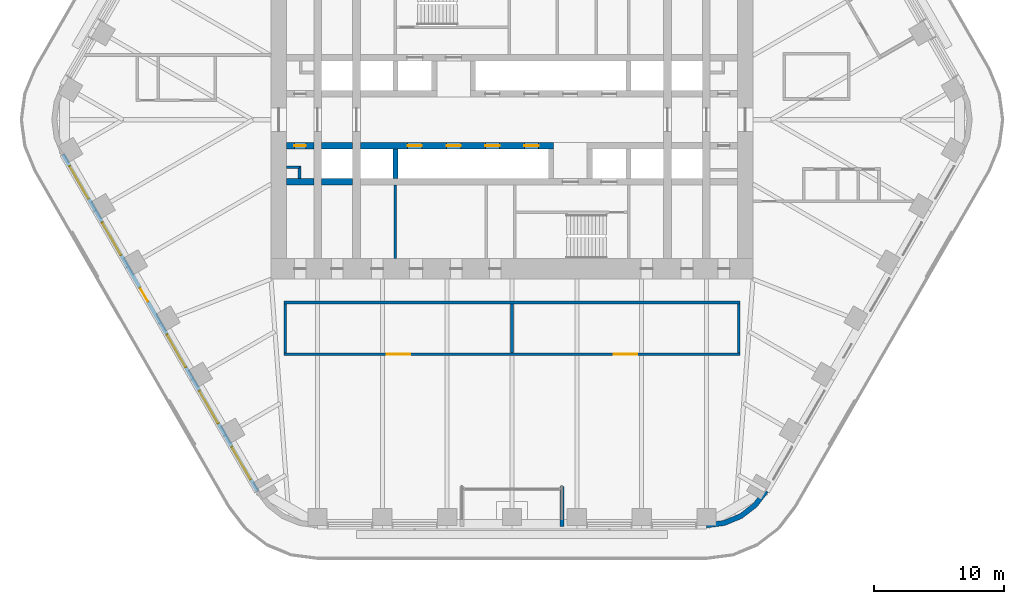
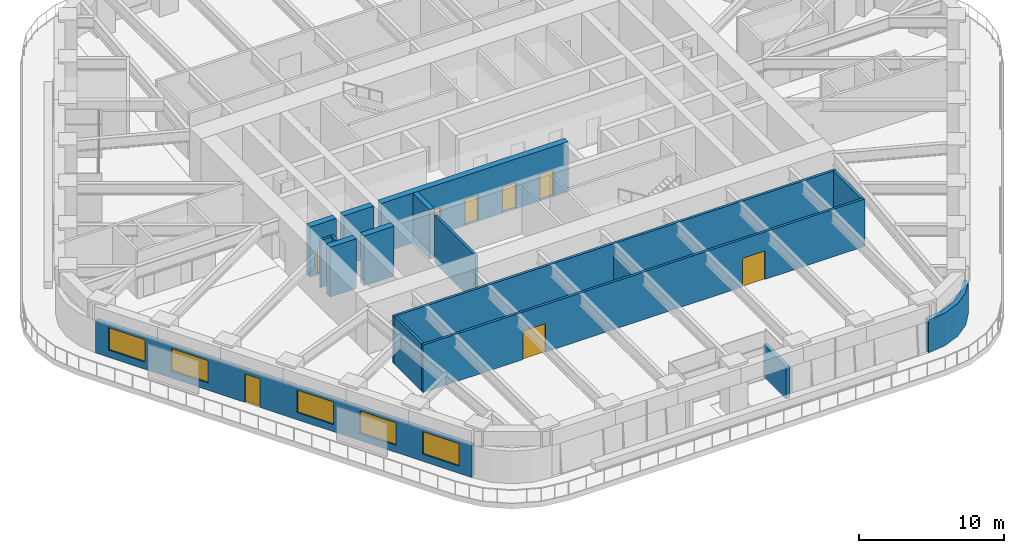
# One storey, part 17 of 24: 17 walls, 8 doors, 5 windows, 13 openings.
"""IFC4 building model written with IfcOpenShell, lengths in metres."""

from ifc_helpers import new_model, si_unit, direction, frame, frame_2d, origin, place, context, subcontext, project, spatial, polyline, rectangle, outline, extrude, material, layer, layer_set, type_object, element, fill, save


model = new_model("IFC4")

# Units and contexts
model_context = context("Model", 3, precision=1e-05, world=origin(), true_north=direction((0.0, 1.0)))
body_context = subcontext(model_context, "Body", "Model", "MODEL_VIEW")
ifc_project = project(units=[si_unit("LENGTHUNIT", "METRE"), si_unit("AREAUNIT", "SQUARE_METRE"), si_unit("VOLUMEUNIT", "CUBIC_METRE"), si_unit("PLANEANGLEUNIT", "RADIAN"), si_unit("MASSUNIT", "GRAM", prefix="KILO")], contexts=[model_context])

# Site, building, storey
site_placement = place(None, origin())
site = spatial("IfcSite", under=ifc_project, at=site_placement, CompositionType="ELEMENT")
building_placement = place(site_placement, origin())
building = spatial("IfcBuilding", under=site, at=building_placement, Name="Tarfa Lantern Tower", CompositionType="ELEMENT")
storey_placement = place(building_placement, frame((0.0, 0.0, 195.10009765625)))
storey = spatial("IfcBuildingStorey", under=building, at=storey_placement, Name="L44", CompositionType="ELEMENT", Elevation=195.10009765625)

# Wall, openings, door, windows
ifc_material_1 = material(Name="Limestone cladding on blockwork", Category="masonry")
ifc_layer_1 = layer(ifc_material_1, 0.300048828125)
ifc_layer_set_1 = layer_set([ifc_layer_1], Name="EW1 STONE-CLAD WALL 300")
wall_type_1 = type_object("IfcWallType", Name="EW1 STONE-CLAD WALL 300", PredefinedType="SOLIDWALL", material=ifc_layer_set_1)
wall_1_placement = place(storey_placement, frame((-34.655517578125, -2.675048828125, 0.0), z_axis=(0.0, 0.0, 1.0), x_axis=(0.500003084452, -0.866023622968, 0.0)))
wall_1 = element("IfcWall", 1, at=wall_1_placement, inside=storey, type_object=wall_type_1, Name="Stone wall SW", PredefinedType="SOLIDWALL", context=body_context, shape_type="SweptSolid", body=[
    extrude(rectangle(XDim=30.022216796875, YDim=0.300048828125, at=frame_2d((15.01123046875, 0.0))), origin(), (0.0, 0.0, 1.0), 2.75),
])
opening_1_placement = place(wall_1_placement, frame((1.0517578125, 0.0, 0.60009765625)))
opening_1 = element("IfcOpeningElement", 2, at=opening_1_placement, cuts=wall_1, Name="Opening W9", PredefinedType="OPENING", context=body_context, shape_type="SweptSolid", body=[
    extrude(rectangle(XDim=2.89990234375, YDim=1.89990234375, at=frame_2d((1.449951171875, 0.949951171875))), frame((0.0, 0.159912109375, 0.0), z_axis=(0.0, -1.0, 0.0), x_axis=(1.0, 0.0, 0.0)), (0.0, 0.0, 1.0), 0.320068359375),
])
opening_2_placement = place(wall_1_placement, frame((6.0556640625, 0.0, 0.60009765625)))
opening_2 = element("IfcOpeningElement", 3, at=opening_2_placement, cuts=wall_1, Name="Opening W9", PredefinedType="OPENING", context=body_context, shape_type="SweptSolid", body=[
    extrude(rectangle(XDim=2.89990234375, YDim=1.89990234375, at=frame_2d((1.449951171875, 0.949951171875))), frame((0.0, 0.159912109375, 0.0), z_axis=(0.0, -1.0, 0.0), x_axis=(1.0, 0.0, 0.0)), (0.0, 0.0, 1.0), 0.320068359375),
])
opening_3_placement = place(wall_1_placement, frame((11.9091796875, 0.0, 0.0)))
opening_3 = element("IfcOpeningElement", 4, at=opening_3_placement, cuts=wall_1, Name="Opening D51", PredefinedType="OPENING", context=body_context, shape_type="SweptSolid", body=[
    extrude(rectangle(XDim=1.199951171875, YDim=2.39990234375, at=frame_2d((0.60009765625, 1.199951171875))), frame((0.0, 0.159912109375, 0.0), z_axis=(0.0, -1.0, 0.0), x_axis=(1.0, 0.0, 0.0)), (0.0, 0.0, 1.0), 0.320068359375),
])
opening_4_placement = place(wall_1_placement, frame((16.06298828125, 0.0, 0.60009765625)))
opening_4 = element("IfcOpeningElement", 5, at=opening_4_placement, cuts=wall_1, Name="Opening W9", PredefinedType="OPENING", context=body_context, shape_type="SweptSolid", body=[
    extrude(rectangle(XDim=2.89990234375, YDim=1.89990234375, at=frame_2d((1.449951171875, 0.949951171875))), frame((0.0, 0.159912109375, 0.0), z_axis=(0.0, -1.0, 0.0), x_axis=(1.0, 0.0, 0.0)), (0.0, 0.0, 1.0), 0.320068359375),
])
opening_5_placement = place(wall_1_placement, frame((21.066650390625, 0.0, 0.60009765625)))
opening_5 = element("IfcOpeningElement", 6, at=opening_5_placement, cuts=wall_1, Name="Opening W9", PredefinedType="OPENING", context=body_context, shape_type="SweptSolid", body=[
    extrude(rectangle(XDim=2.89990234375, YDim=1.89990234375, at=frame_2d((1.449951171875, 0.949951171875))), frame((0.0, 0.159912109375, 0.0), z_axis=(0.0, -1.0, 0.0), x_axis=(1.0, 0.0, 0.0)), (0.0, 0.0, 1.0), 0.320068359375),
])
opening_6_placement = place(wall_1_placement, frame((26.0703125, 0.0, 0.60009765625)))
opening_6 = element("IfcOpeningElement", 7, at=opening_6_placement, cuts=wall_1, Name="Opening W9", PredefinedType="OPENING", context=body_context, shape_type="SweptSolid", body=[
    extrude(rectangle(XDim=2.89990234375, YDim=1.89990234375, at=frame_2d((1.449951171875, 0.949951171875))), frame((0.0, 0.159912109375, 0.0), z_axis=(0.0, -1.0, 0.0), x_axis=(1.0, 0.0, 0.0)), (0.0, 0.0, 1.0), 0.320068359375),
])
ifc_material_2 = material(Name="Aluminium framed glazed door", Category="aluminium")
door_type_1 = type_object("IfcDoorType", Name="BE3 BALCONY DOOR 1200x2400", OperationType="SINGLE_SWING_RIGHT", PredefinedType="DOOR", material=ifc_material_2)
door_1_placement = place(opening_3_placement, origin())
door_1 = element("IfcDoor", 8, at=door_1_placement, inside=storey, type_object=door_type_1, Name="Balcony door SW", OperationType="SINGLE_SWING_RIGHT", OverallHeight=2.39990234375, OverallWidth=1.199951171875, PredefinedType="DOOR", context=body_context, shape_type="SweptSolid", body=[
    extrude(rectangle(XDim=1.199951171875, YDim=2.39990234375, at=frame_2d((0.60009765625, 1.199951171875))), frame((0.0, 0.02490234375, 0.0), z_axis=(0.0, -1.0, 0.0), x_axis=(1.0, 0.0, 0.0)), (0.0, 0.0, 1.0), 0.050048828125),
])
fill(opening_3, door_1)
ifc_material_3 = material(Name="Aluminium frame, double glazed", Category="aluminium")
window_type = type_object("IfcWindowType", Name="W9 FULL-HEIGHT GLAZING 2900x1900", PartitioningType="SINGLE_PANEL", PredefinedType="WINDOW", material=ifc_material_3)
window_1_placement = place(opening_1_placement, origin())
window_1 = element("IfcWindow", 9, at=window_1_placement, inside=storey, type_object=window_type, Name="Window SW 1", OverallHeight=1.89990234375, OverallWidth=2.89990234375, PartitioningType="SINGLE_PANEL", PredefinedType="WINDOW", context=body_context, shape_type="SweptSolid", body=[
    extrude(rectangle(XDim=2.89990234375, YDim=1.89990234375, at=frame_2d((1.449951171875, 0.949951171875))), frame((0.0, 0.030029296875, 0.0), z_axis=(0.0, -1.0, 0.0), x_axis=(1.0, 0.0, 0.0)), (0.0, 0.0, 1.0), 0.06005859375),
])
fill(opening_1, window_1)
window_2_placement = place(opening_2_placement, origin())
window_2 = element("IfcWindow", 10, at=window_2_placement, inside=storey, type_object=window_type, Name="Window SW 2", OverallHeight=1.89990234375, OverallWidth=2.89990234375, PartitioningType="SINGLE_PANEL", PredefinedType="WINDOW", context=body_context, shape_type="SweptSolid", body=[
    extrude(rectangle(XDim=2.89990234375, YDim=1.89990234375, at=frame_2d((1.449951171875, 0.949951171875))), frame((0.0, 0.030029296875, 0.0), z_axis=(0.0, -1.0, 0.0), x_axis=(1.0, 0.0, 0.0)), (0.0, 0.0, 1.0), 0.06005859375),
])
fill(opening_2, window_2)
window_3_placement = place(opening_4_placement, origin())
window_3 = element("IfcWindow", 11, at=window_3_placement, inside=storey, type_object=window_type, Name="Window SW 4", OverallHeight=1.89990234375, OverallWidth=2.89990234375, PartitioningType="SINGLE_PANEL", PredefinedType="WINDOW", context=body_context, shape_type="SweptSolid", body=[
    extrude(rectangle(XDim=2.89990234375, YDim=1.89990234375, at=frame_2d((1.449951171875, 0.949951171875))), frame((0.0, 0.030029296875, 0.0), z_axis=(0.0, -1.0, 0.0), x_axis=(1.0, 0.0, 0.0)), (0.0, 0.0, 1.0), 0.06005859375),
])
fill(opening_4, window_3)
window_4_placement = place(opening_5_placement, origin())
window_4 = element("IfcWindow", 12, at=window_4_placement, inside=storey, type_object=window_type, Name="Window SW 5", OverallHeight=1.89990234375, OverallWidth=2.89990234375, PartitioningType="SINGLE_PANEL", PredefinedType="WINDOW", context=body_context, shape_type="SweptSolid", body=[
    extrude(rectangle(XDim=2.89990234375, YDim=1.89990234375, at=frame_2d((1.449951171875, 0.949951171875))), frame((0.0, 0.030029296875, 0.0), z_axis=(0.0, -1.0, 0.0), x_axis=(1.0, 0.0, 0.0)), (0.0, 0.0, 1.0), 0.06005859375),
])
fill(opening_5, window_4)
window_5_placement = place(opening_6_placement, origin())
window_5 = element("IfcWindow", 13, at=window_5_placement, inside=storey, type_object=window_type, Name="Window SW 6", OverallHeight=1.89990234375, OverallWidth=2.89990234375, PartitioningType="SINGLE_PANEL", PredefinedType="WINDOW", context=body_context, shape_type="SweptSolid", body=[
    extrude(rectangle(XDim=2.89990234375, YDim=1.89990234375, at=frame_2d((1.449951171875, 0.949951171875))), frame((0.0, 0.030029296875, 0.0), z_axis=(0.0, -1.0, 0.0), x_axis=(1.0, 0.0, 0.0)), (0.0, 0.0, 1.0), 0.06005859375),
])
fill(opening_6, window_5)

# Walls
wall_2_placement = place(storey_placement, frame((3.853759765625, -31.39990234375, 0.0), z_axis=(0.0, 0.0, 1.0), x_axis=(0.0, 1.0, 0.0)))
element("IfcWall", 14, at=wall_2_placement, inside=storey, type_object=wall_type_1, Name="Loggia return S 2", PredefinedType="SOLIDWALL", context=body_context, shape_type="SweptSolid", body=[
    extrude(rectangle(XDim=3.099853515625, YDim=0.300048828125, at=frame_2d((1.5498046875, 0.0))), origin(), (0.0, 0.0, 1.0), 2.75),
])
ifc_layer_2 = layer(ifc_material_1, 0.39990234375)
ifc_layer_set_2 = layer_set([ifc_layer_2], Name="EW2 CURVED STONE CORNER 400")
wall_type_2 = type_object("IfcWallType", Name="EW2 CURVED STONE CORNER 400", PredefinedType="SOLIDWALL", material=ifc_layer_set_2)
wall_3_placement = place(storey_placement, origin())
element("IfcWall", 15, at=wall_3_placement, inside=storey, type_object=wall_type_2, Name="Stone corner S-SE", PredefinedType="SOLIDWALL", context=body_context, shape_type="SweptSolid", body=[
    extrude(outline(polyline([(15.010986328125, -31.5), (16.4345703125, -31.3125), (17.760986328125, -30.76318359375), (18.900146484375, -29.88916015625), (19.774169921875, -28.75), (19.427734375, -28.550048828125), (18.617431640625, -29.606201171875), (17.56103515625, -30.416748046875), (16.3310546875, -30.92626953125), (15.010986328125, -31.10009765625), (15.010986328125, -31.5)])), origin(), (0.0, 0.0, 1.0), 2.75),
])
ifc_material_4 = material(Name="Concrete blockwork", Category="masonry")
ifc_layer_3 = layer(ifc_material_4, 0.199951171875)
ifc_layer_set_3 = layer_set([ifc_layer_3], Name="IW1 BLOCKWORK PARTITION 200 EI 120")
wall_type_3 = type_object("IfcWallType", Name="IW1 BLOCKWORK PARTITION 200 EI 120", PredefinedType="PARTITIONING", material=ifc_layer_set_3)
wall_4_placement = place(storey_placement, frame((-9.0, -5.050048828125, 0.0), z_axis=(0.0, 0.0, 1.0), x_axis=(0.0, -1.0, 0.0)))
element("IfcWall", 16, at=wall_4_placement, inside=storey, type_object=wall_type_3, Name="Core partition", PredefinedType="PARTITIONING", context=body_context, shape_type="SweptSolid", body=[
    extrude(rectangle(XDim=5.64990234375, YDim=0.199951171875, at=frame_2d((2.824951171875, 0.0))), origin(), (0.0, 0.0, 1.0), 4.0),
])
for number, where, z_axis, x_axis, name in (
    (17, (-16.39990234375, -3.64990234375, 0.0), (0.0, 0.0, 1.0), (-1.0, 0.0, 0.0), "Core partition"),
    (18, (-16.39990234375, -3.550048828125, 0.0), (0.0, 0.0, 1.0), (0.0, -1.0, 0.0), "Core partition"),
):
    element("IfcWall", number, at=place(storey_placement, frame(where, z_axis=z_axis, x_axis=x_axis)), inside=storey, type_object=wall_type_3, Name=name, PredefinedType="PARTITIONING", context=body_context, shape_type="SweptSolid", body=[
        extrude(rectangle(XDim=1.0, YDim=0.199951171875, at=frame_2d((0.5, 0.0))), origin(), (0.0, 0.0, 1.0), 4.0),
    ])
ifc_material_5 = material(Name="Gypsum board on steel studs", Category="steel")
ifc_layer_4 = layer(ifc_material_5, 0.2099609375)
ifc_layer_set_4 = layer_set([ifc_layer_4], Name="IW2 ACOUSTIC PARTITION 200")
wall_type_4 = type_object("IfcWallType", Name="IW2 ACOUSTIC PARTITION 200", PredefinedType="PARTITIONING", material=ifc_layer_set_4)
wall_5_placement = place(storey_placement, frame((17.60009765625, -14.10009765625, 0.0), z_axis=(0.0, 0.0, 1.0), x_axis=(-1.0, 0.0, 0.0)))
element("IfcWall", 19, at=wall_5_placement, inside=storey, type_object=wall_type_4, Name="Partition", PredefinedType="PARTITIONING", context=body_context, shape_type="SweptSolid", body=[
    extrude(rectangle(XDim=35.2001953125, YDim=0.199951171875, at=frame_2d((17.60009765625, 0.0))), origin(), (0.0, 0.0, 1.0), 4.0),
])

# Wall, openings, doors
wall_6_placement = place(storey_placement, frame((17.60009765625, -18.10009765625, 0.0), z_axis=(0.0, 0.0, 1.0), x_axis=(-1.0, 0.0, 0.0)))
wall_6 = element("IfcWall", 20, at=wall_6_placement, inside=storey, type_object=wall_type_4, Name="Partition", PredefinedType="PARTITIONING", context=body_context, shape_type="SweptSolid", body=[
    extrude(rectangle(XDim=35.2001953125, YDim=0.199951171875, at=frame_2d((17.60009765625, 0.0))), origin(), (0.0, 0.0, 1.0), 4.0),
])
opening_7_placement = place(wall_6_placement, frame((7.949951171875, 0.0, 0.0)))
opening_7 = element("IfcOpeningElement", 21, at=opening_7_placement, cuts=wall_6, Name="Opening D41", PredefinedType="OPENING", context=body_context, shape_type="SweptSolid", body=[
    extrude(rectangle(XDim=1.800048828125, YDim=2.39990234375, at=frame_2d((0.89990234375, 1.199951171875))), frame((0.0, 0.10986328125, 0.0), z_axis=(0.0, -1.0, 0.0), x_axis=(1.0, 0.0, 0.0)), (0.0, 0.0, 1.0), 0.219970703125),
])
opening_8_placement = place(wall_6_placement, frame((25.449951171875, 0.0, 0.0)))
opening_8 = element("IfcOpeningElement", 22, at=opening_8_placement, cuts=wall_6, Name="Opening D42", PredefinedType="OPENING", context=body_context, shape_type="SweptSolid", body=[
    extrude(rectangle(XDim=1.800048828125, YDim=2.39990234375, at=frame_2d((0.89990234375, 1.199951171875))), frame((0.0, 0.10986328125, 0.0), z_axis=(0.0, -1.0, 0.0), x_axis=(1.0, 0.0, 0.0)), (0.0, 0.0, 1.0), 0.219970703125),
])
ifc_material_6 = material(Name="Timber door", Category="wood")
door_type_2 = type_object("IfcDoorType", Name="DR2 ROOM DOOR 1800x2400", OperationType="DOUBLE_DOOR_SINGLE_SWING", PredefinedType="DOOR", material=ifc_material_6)
door_2_placement = place(opening_7_placement, frame((1.800048828125, 0.0, 0.0), z_axis=(0.0, 0.0, 1.0), x_axis=(-1.0, 0.0, 0.0)))
door_2 = element("IfcDoor", 23, at=door_2_placement, inside=storey, type_object=door_type_2, Name="Pantry door", OperationType="DOUBLE_DOOR_SINGLE_SWING", OverallHeight=2.39990234375, OverallWidth=1.800048828125, PredefinedType="DOOR", context=body_context, shape_type="SweptSolid", body=[
    extrude(rectangle(XDim=1.800048828125, YDim=2.39990234375, at=frame_2d((0.89990234375, 1.199951171875))), frame((0.0, 0.02490234375, 0.0), z_axis=(0.0, -1.0, 0.0), x_axis=(1.0, 0.0, 0.0)), (0.0, 0.0, 1.0), 0.050048828125),
])
fill(opening_7, door_2)
door_3_placement = place(opening_8_placement, frame((1.800048828125, 0.0, 0.0), z_axis=(0.0, 0.0, 1.0), x_axis=(-1.0, 0.0, 0.0)))
door_3 = element("IfcDoor", 24, at=door_3_placement, inside=storey, type_object=door_type_2, Name="Print room door", OperationType="DOUBLE_DOOR_SINGLE_SWING", OverallHeight=2.39990234375, OverallWidth=1.800048828125, PredefinedType="DOOR", context=body_context, shape_type="SweptSolid", body=[
    extrude(rectangle(XDim=1.800048828125, YDim=2.39990234375, at=frame_2d((0.89990234375, 1.199951171875))), frame((0.0, 0.02490234375, 0.0), z_axis=(0.0, -1.0, 0.0), x_axis=(1.0, 0.0, 0.0)), (0.0, 0.0, 1.0), 0.050048828125),
])
fill(opening_8, door_3)

# Walls
wall_7_placement = place(storey_placement, frame((17.5, -14.199951171875, 0.0), z_axis=(0.0, 0.0, 1.0), x_axis=(0.0, -1.0, 0.0)))
element("IfcWall", 25, at=wall_7_placement, inside=storey, type_object=wall_type_4, Name="Partition", PredefinedType="PARTITIONING", context=body_context, shape_type="SweptSolid", body=[
    extrude(rectangle(XDim=3.800048828125, YDim=0.199951171875, at=frame_2d((1.89990234375, 0.0))), origin(), (0.0, 0.0, 1.0), 4.0),
])
wall_8_placement = place(storey_placement, frame((0.0, -14.199951171875, 0.0), z_axis=(0.0, 0.0, 1.0), x_axis=(0.0, -1.0, 0.0)))
element("IfcWall", 26, at=wall_8_placement, inside=storey, type_object=wall_type_4, Name="Partition", PredefinedType="PARTITIONING", context=body_context, shape_type="SweptSolid", body=[
    extrude(rectangle(XDim=3.800048828125, YDim=0.199951171875, at=frame_2d((1.89990234375, 0.0))), origin(), (0.0, 0.0, 1.0), 2.99169921875),
])
wall_9_placement = place(storey_placement, frame((-17.5, -14.199951171875, 0.0), z_axis=(0.0, 0.0, 1.0), x_axis=(0.0, -1.0, 0.0)))
element("IfcWall", 27, at=wall_9_placement, inside=storey, type_object=wall_type_4, Name="Partition", PredefinedType="PARTITIONING", context=body_context, shape_type="SweptSolid", body=[
    extrude(rectangle(XDim=3.800048828125, YDim=0.199951171875, at=frame_2d((1.89990234375, 0.0))), origin(), (0.0, 0.0, 1.0), 4.0),
])

# Wall, openings, doors
ifc_material_7 = material(Name="Concrete C80/95", Category="concrete")
ifc_layer_5 = layer(ifc_material_7, 0.5)
ifc_layer_set_5 = layer_set([ifc_layer_5], Name="SW5 CORE WALL 500")
wall_type_5 = type_object("IfcWallType", Name="SW5 CORE WALL 500", PredefinedType="SHEAR", material=ifc_layer_set_5)
wall_10_placement = place(storey_placement, frame((3.199951171875, -2.0, 0.0), z_axis=(0.0, 0.0, 1.0), x_axis=(-1.0, 0.0, 0.0)))
wall_10 = element("IfcWall", 28, at=wall_10_placement, inside=storey, type_object=wall_type_5, Name="Core wall lobby east S", PredefinedType="SHEAR", context=body_context, shape_type="SweptSolid", body=[
    extrude(rectangle(XDim=14.89990234375, YDim=0.5, at=frame_2d((7.449951171875, 0.0))), origin(), (0.0, 0.0, 1.0), 4.199951171875),
])
opening_9_placement = place(wall_10_placement, frame((1.14990234375, 0.0, 0.0)))
opening_9 = element("IfcOpeningElement", 29, at=opening_9_placement, cuts=wall_10, Name="Opening LD07", PredefinedType="OPENING", context=body_context, shape_type="SweptSolid", body=[
    extrude(rectangle(XDim=1.10009765625, YDim=2.199951171875, at=frame_2d((0.550048828125, 1.10009765625))), frame((0.0, 0.260009765625, 0.0), z_axis=(0.0, -1.0, 0.0), x_axis=(1.0, 0.0, 0.0)), (0.0, 0.0, 1.0), 0.52001953125),
])
opening_10_placement = place(wall_10_placement, frame((4.14990234375, 0.0, 0.0)))
opening_10 = element("IfcOpeningElement", 30, at=opening_10_placement, cuts=wall_10, Name="Opening LD08", PredefinedType="OPENING", context=body_context, shape_type="SweptSolid", body=[
    extrude(rectangle(XDim=1.10009765625, YDim=2.199951171875, at=frame_2d((0.550048828125, 1.10009765625))), frame((0.0, 0.260009765625, 0.0), z_axis=(0.0, -1.0, 0.0), x_axis=(1.0, 0.0, 0.0)), (0.0, 0.0, 1.0), 0.52001953125),
])
opening_11_placement = place(wall_10_placement, frame((7.14990234375, 0.0, 0.0)))
opening_11 = element("IfcOpeningElement", 31, at=opening_11_placement, cuts=wall_10, Name="Opening LD09", PredefinedType="OPENING", context=body_context, shape_type="SweptSolid", body=[
    extrude(rectangle(XDim=1.10009765625, YDim=2.199951171875, at=frame_2d((0.550048828125, 1.10009765625))), frame((0.0, 0.260009765625, 0.0), z_axis=(0.0, -1.0, 0.0), x_axis=(1.0, 0.0, 0.0)), (0.0, 0.0, 1.0), 0.52001953125),
])
opening_12_placement = place(wall_10_placement, frame((10.14990234375, 0.0, 0.0)))
opening_12 = element("IfcOpeningElement", 32, at=opening_12_placement, cuts=wall_10, Name="Opening LD10", PredefinedType="OPENING", context=body_context, shape_type="SweptSolid", body=[
    extrude(rectangle(XDim=1.10009765625, YDim=2.199951171875, at=frame_2d((0.550048828125, 1.10009765625))), frame((0.0, 0.260009765625, 0.0), z_axis=(0.0, -1.0, 0.0), x_axis=(1.0, 0.0, 0.0)), (0.0, 0.0, 1.0), 0.52001953125),
])
ifc_material_8 = material(Name="Stainless steel lift door", Category="steel")
door_type_3 = type_object("IfcDoorType", Name="LD2 LIFT LANDING DOOR 1100x2200", OperationType="SLIDING_TO_LEFT", PredefinedType="DOOR", material=ifc_material_8)
door_4_placement = place(opening_9_placement, frame((1.10009765625, 0.0, 0.0), z_axis=(0.0, 0.0, 1.0), x_axis=(-1.0, 0.0, 0.0)))
door_4 = element("IfcDoor", 33, at=door_4_placement, inside=storey, type_object=door_type_3, Name="Landing door PB5", OperationType="SLIDING_TO_LEFT", OverallHeight=2.199951171875, OverallWidth=1.10009765625, PredefinedType="DOOR", context=body_context, shape_type="SweptSolid", body=[
    extrude(rectangle(XDim=1.10009765625, YDim=2.199951171875, at=frame_2d((0.550048828125, 1.10009765625))), frame((0.0, 0.02490234375, 0.0), z_axis=(0.0, -1.0, 0.0), x_axis=(1.0, 0.0, 0.0)), (0.0, 0.0, 1.0), 0.050048828125),
])
fill(opening_9, door_4)
door_5_placement = place(opening_10_placement, frame((1.10009765625, 0.0, 0.0), z_axis=(0.0, 0.0, 1.0), x_axis=(-1.0, 0.0, 0.0)))
door_5 = element("IfcDoor", 34, at=door_5_placement, inside=storey, type_object=door_type_3, Name="Landing door PB6", OperationType="SLIDING_TO_LEFT", OverallHeight=2.199951171875, OverallWidth=1.10009765625, PredefinedType="DOOR", context=body_context, shape_type="SweptSolid", body=[
    extrude(rectangle(XDim=1.10009765625, YDim=2.199951171875, at=frame_2d((0.550048828125, 1.10009765625))), frame((0.0, 0.02490234375, 0.0), z_axis=(0.0, -1.0, 0.0), x_axis=(1.0, 0.0, 0.0)), (0.0, 0.0, 1.0), 0.050048828125),
])
fill(opening_10, door_5)
door_6_placement = place(opening_11_placement, frame((1.10009765625, 0.0, 0.0), z_axis=(0.0, 0.0, 1.0), x_axis=(-1.0, 0.0, 0.0)))
door_6 = element("IfcDoor", 35, at=door_6_placement, inside=storey, type_object=door_type_3, Name="Landing door PB7", OperationType="SLIDING_TO_LEFT", OverallHeight=2.199951171875, OverallWidth=1.10009765625, PredefinedType="DOOR", context=body_context, shape_type="SweptSolid", body=[
    extrude(rectangle(XDim=1.10009765625, YDim=2.199951171875, at=frame_2d((0.550048828125, 1.10009765625))), frame((0.0, 0.02490234375, 0.0), z_axis=(0.0, -1.0, 0.0), x_axis=(1.0, 0.0, 0.0)), (0.0, 0.0, 1.0), 0.050048828125),
])
fill(opening_11, door_6)
door_7_placement = place(opening_12_placement, frame((1.10009765625, 0.0, 0.0), z_axis=(0.0, 0.0, 1.0), x_axis=(-1.0, 0.0, 0.0)))
door_7 = element("IfcDoor", 36, at=door_7_placement, inside=storey, type_object=door_type_3, Name="Landing door PB8", OperationType="SLIDING_TO_LEFT", OverallHeight=2.199951171875, OverallWidth=1.10009765625, PredefinedType="DOOR", context=body_context, shape_type="SweptSolid", body=[
    extrude(rectangle(XDim=1.10009765625, YDim=2.199951171875, at=frame_2d((0.550048828125, 1.10009765625))), frame((0.0, 0.02490234375, 0.0), z_axis=(0.0, -1.0, 0.0), x_axis=(1.0, 0.0, 0.0)), (0.0, 0.0, 1.0), 0.050048828125),
])
fill(opening_12, door_7)

# Wall
wall_11_placement = place(storey_placement, frame((-12.300048828125, -2.0, 0.0), z_axis=(0.0, 0.0, 1.0), x_axis=(-1.0, 0.0, 0.0)))
element("IfcWall", 37, at=wall_11_placement, inside=storey, type_object=wall_type_5, Name="Core wall lobby east S", PredefinedType="SHEAR", context=body_context, shape_type="SweptSolid", body=[
    extrude(rectangle(XDim=2.39990234375, YDim=0.5, at=frame_2d((1.199951171875, 0.0))), origin(), (0.0, 0.0, 1.0), 4.199951171875),
])

# Wall, opening, door
wall_12_placement = place(storey_placement, frame((-15.300048828125, -2.0, 0.0), z_axis=(0.0, 0.0, 1.0), x_axis=(-1.0, 0.0, 0.0)))
wall_12 = element("IfcWall", 38, at=wall_12_placement, inside=storey, type_object=wall_type_5, Name="Core wall lobby east S", PredefinedType="SHEAR", context=body_context, shape_type="SweptSolid", body=[
    extrude(rectangle(XDim=2.099853515625, YDim=0.5, at=frame_2d((1.0498046875, 0.0))), origin(), (0.0, 0.0, 1.0), 4.199951171875),
])
opening_13_placement = place(wall_12_placement, frame((0.60009765625, 0.0, 0.0)))
opening_13 = element("IfcOpeningElement", 39, at=opening_13_placement, cuts=wall_12, Name="Opening D18", PredefinedType="OPENING", context=body_context, shape_type="SweptSolid", body=[
    extrude(rectangle(XDim=0.89990234375, YDim=2.199951171875, at=frame_2d((0.449951171875, 1.10009765625))), frame((0.0, 0.260009765625, 0.0), z_axis=(0.0, -1.0, 0.0), x_axis=(1.0, 0.0, 0.0)), (0.0, 0.0, 1.0), 0.52001953125),
])
ifc_material_9 = material(Name="Steel fire door", Category="steel")
door_type_4 = type_object("IfcDoorType", Name="DF6 SERVICE ROOM DOOR 900x2200", OperationType="SINGLE_SWING_LEFT", PredefinedType="DOOR", material=ifc_material_9)
door_8_placement = place(opening_13_placement, origin())
door_8 = element("IfcDoor", 40, at=door_8_placement, inside=storey, type_object=door_type_4, Name="Service room door", OperationType="SINGLE_SWING_LEFT", OverallHeight=2.199951171875, OverallWidth=0.89990234375, PredefinedType="DOOR", context=body_context, shape_type="SweptSolid", body=[
    extrude(rectangle(XDim=0.89990234375, YDim=2.199951171875, at=frame_2d((0.449951171875, 1.10009765625))), frame((0.0, 0.02490234375, 0.0), z_axis=(0.0, -1.0, 0.0), x_axis=(1.0, 0.0, 0.0)), (0.0, 0.0, 1.0), 0.050048828125),
])
fill(opening_13, door_8)

# Walls
wall_13_placement = place(storey_placement, frame((-12.300048828125, -4.800048828125, 0.0), z_axis=(0.0, 0.0, 1.0), x_axis=(-1.0, 0.0, 0.0)))
element("IfcWall", 41, at=wall_13_placement, inside=storey, type_object=wall_type_5, Name="Core wall rear S", PredefinedType="SHEAR", context=body_context, shape_type="SweptSolid", body=[
    extrude(rectangle(XDim=2.39990234375, YDim=0.5, at=frame_2d((1.199951171875, 0.0))), origin(), (0.0, 0.0, 1.0), 4.199951171875),
])
wall_14_placement = place(storey_placement, frame((-15.300048828125, -4.800048828125, 0.0), z_axis=(0.0, 0.0, 1.0), x_axis=(-1.0, 0.0, 0.0)))
element("IfcWall", 42, at=wall_14_placement, inside=storey, type_object=wall_type_5, Name="Core wall rear S", PredefinedType="SHEAR", context=body_context, shape_type="SweptSolid", body=[
    extrude(rectangle(XDim=2.099853515625, YDim=0.5, at=frame_2d((1.0498046875, 0.0))), origin(), (0.0, 0.0, 1.0), 4.199951171875),
])
ifc_layer_6 = layer(ifc_material_7, 0.39990234375)
ifc_layer_set_6 = layer_set([ifc_layer_6], Name="SW6 CORE WALL 400")
wall_type_6 = type_object("IfcWallType", Name="SW6 CORE WALL 400", PredefinedType="SHEAR", material=ifc_layer_set_6)
wall_15_placement = place(storey_placement, frame((-9.0, -2.25, 0.0), z_axis=(0.0, 0.0, 1.0), x_axis=(0.0, -1.0, 0.0)))
element("IfcWall", 43, at=wall_15_placement, inside=storey, type_object=wall_type_6, Name="Core wall divider S", PredefinedType="SHEAR", context=body_context, shape_type="SweptSolid", body=[
    extrude(rectangle(XDim=2.300048828125, YDim=0.39990234375, at=frame_2d((1.14990234375, 0.0))), origin(), (0.0, 0.0, 1.0), 4.199951171875),
])

save(model, "model.ifc")
